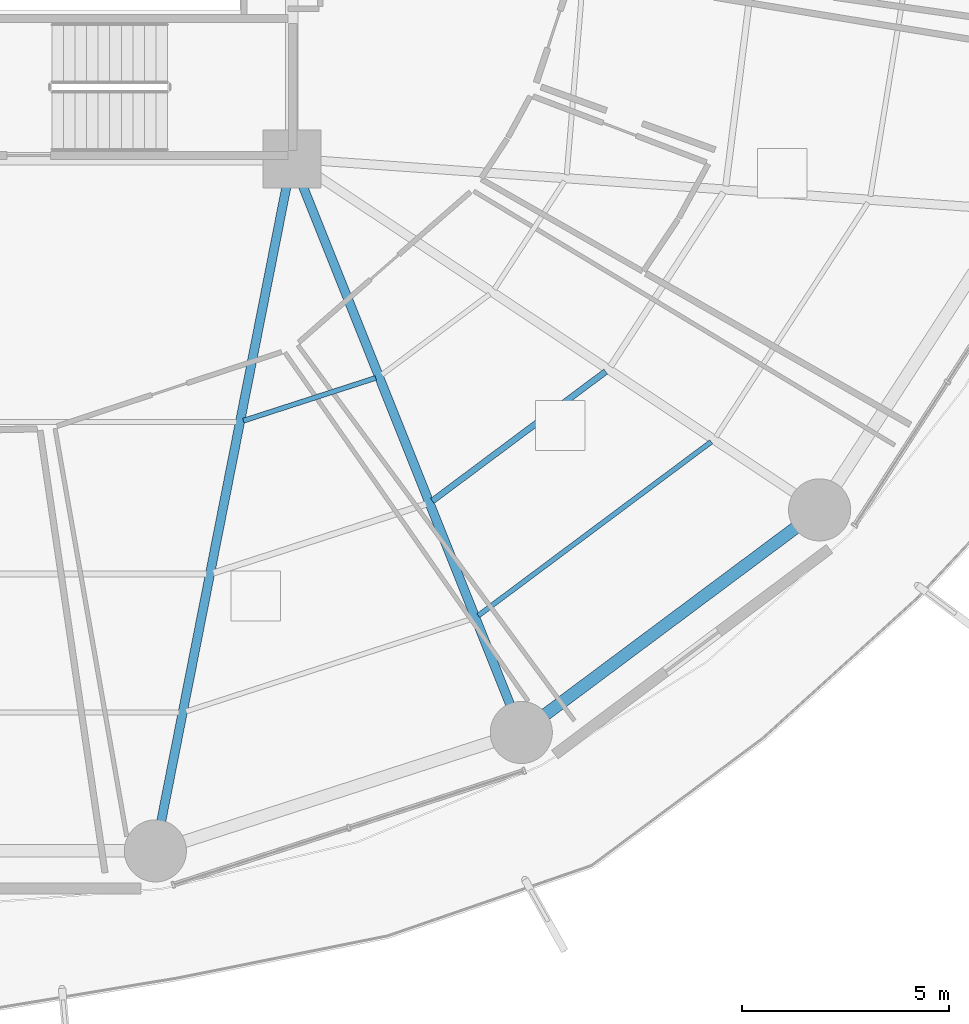
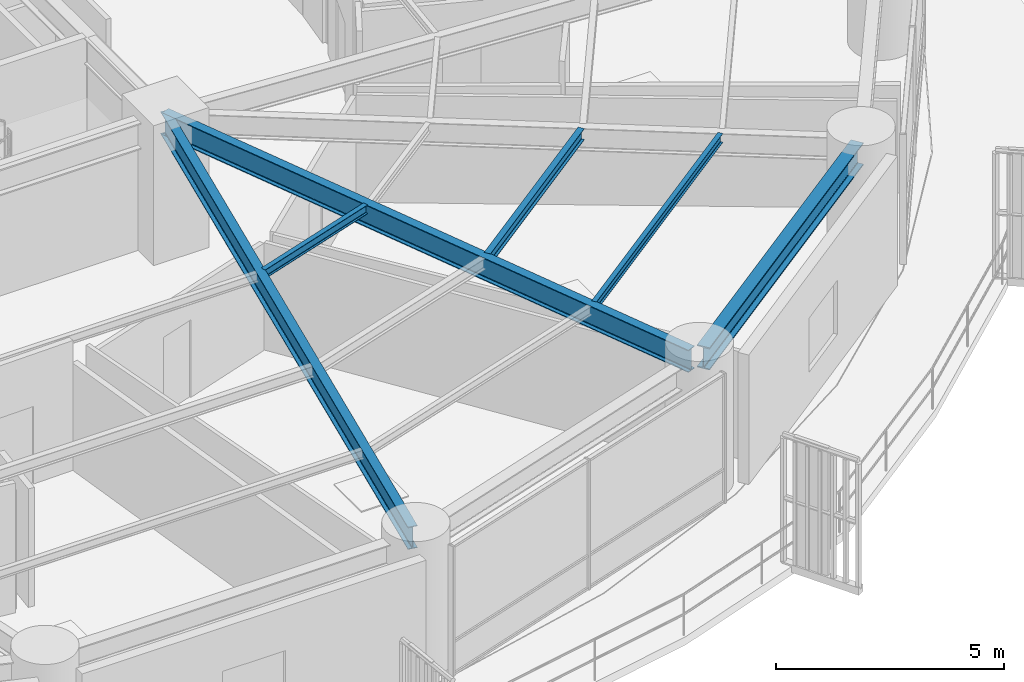
# One storey, part 9 of 34: 6 beams.
"""IFC4 building model written with IfcOpenShell, lengths in metres."""

from ifc_helpers import new_model, si_unit, direction, frame, origin, origin_2d, place, context, subcontext, project, spatial, i_section, extrude, material, material_profile, profile_set, type_object, element, save


model = new_model("IFC4")

# Units and contexts
model_context = context("Model", 3, precision=1e-05, world=origin(), true_north=direction((0.0, 1.0)))
body_context = subcontext(model_context, "Body", "Model", "MODEL_VIEW")
ifc_project = project(units=[si_unit("LENGTHUNIT", "METRE"), si_unit("AREAUNIT", "SQUARE_METRE"), si_unit("VOLUMEUNIT", "CUBIC_METRE"), si_unit("PLANEANGLEUNIT", "RADIAN"), si_unit("MASSUNIT", "GRAM", prefix="KILO")], contexts=[model_context])

# Site, building, storey
site_placement = place(None, origin())
site = spatial("IfcSite", under=ifc_project, at=site_placement, CompositionType="ELEMENT")
building_placement = place(site_placement, origin())
building = spatial("IfcBuilding", under=site, at=building_placement, Name="Kelanora Arch Commons", CompositionType="ELEMENT")
storey_placement = place(building_placement, frame((0.0, 0.0, 33.75)))
storey = spatial("IfcBuildingStorey", under=building, at=storey_placement, Name="L08", CompositionType="ELEMENT", Elevation=33.75)

# Beams
ifc_material = material(Name="Steel S355", Category="steel")
ifc_material_profile_1 = material_profile(ifc_material, i_section(OverallWidth=0.14990234375, OverallDepth=0.300048828125, WebThickness=0.007080078125, FlangeThickness=0.0107421875, FilletRadius=0.014892578125, at=origin_2d()), Name="IPE300")
ifc_profile_set_1 = profile_set([ifc_material_profile_1], Name="Steel S355")
beam_type_1 = type_object("IfcBeamType", Name="BM-JST-01", PredefinedType="JOIST", material=ifc_profile_set_1)
beam_1_placement = place(storey_placement, frame((85.39208984375, 42.738525390625, 3.340087890625), z_axis=(0.801478251559, 0.598023922831, 0.0), x_axis=(-0.598023922831, 0.801478251559, 0.0)))
element("IfcBeam", 1, at=beam_1_placement, inside=storey, type_object=beam_type_1, Name="Secondary Chord Joist BJB-30 L08", PredefinedType="JOIST", context=body_context, shape_type="SweptSolid", body=[
    extrude(i_section(OverallWidth=0.14990234375, OverallDepth=0.300048828125, WebThickness=0.007080078125, FlangeThickness=0.0107421875, FilletRadius=0.014892578125, at=origin_2d()), origin(), (0.0, 0.0, 1.0), 5.223388671875),
])
ifc_material_profile_2 = material_profile(ifc_material, i_section(OverallWidth=0.1201171875, OverallDepth=0.239990234375, WebThickness=0.006103515625, FlangeThickness=0.009765625, FilletRadius=0.014892578125, at=origin_2d()), Name="IPE240")
ifc_profile_set_2 = profile_set([ifc_material_profile_2], Name="Steel S355")
beam_type_2 = type_object("IfcBeamType", Name="BM-JST-02", PredefinedType="JOIST", material=ifc_profile_set_2)
beam_2_placement = place(storey_placement, frame((80.827880859375, 44.6748046875, 3.3701171875), z_axis=(0.951422608074, 0.30788800049, 0.0), x_axis=(-0.30788800049, 0.951422608074, 0.0)))
element("IfcBeam", 2, at=beam_2_placement, inside=storey, type_object=beam_type_2, Name="Secondary Chord Joist BJA-28 L08", PredefinedType="JOIST", context=body_context, shape_type="SweptSolid", body=[
    extrude(i_section(OverallWidth=0.1201171875, OverallDepth=0.239990234375, WebThickness=0.006103515625, FlangeThickness=0.009765625, FilletRadius=0.014892578125, at=origin_2d()), origin(), (0.0, 0.0, 1.0), 3.359619140625),
])
beam_3_placement = place(storey_placement, frame((86.5, 39.9677734375, 3.3701171875), z_axis=(0.80149131963, 0.598006408459, 0.0), x_axis=(-0.598006408459, 0.80149131963, 0.0)))
element("IfcBeam", 3, at=beam_3_placement, inside=storey, type_object=beam_type_2, Name="Secondary Chord Joist BJC-30 L08", PredefinedType="JOIST", context=body_context, shape_type="SweptSolid", body=[
    extrude(i_section(OverallWidth=0.1201171875, OverallDepth=0.239990234375, WebThickness=0.006103515625, FlangeThickness=0.009765625, FilletRadius=0.014892578125, at=origin_2d()), origin(), (0.0, 0.0, 1.0), 7.021240234375),
])
ifc_material_profile_3 = material_profile(ifc_material, i_section(OverallWidth=0.219970703125, OverallDepth=0.60009765625, WebThickness=0.011962890625, FlangeThickness=0.01904296875, FilletRadius=0.02392578125, at=origin_2d()), Name="IPE600")
ifc_profile_set_3 = profile_set([ifc_material_profile_3], Name="Steel S355")
beam_type_3 = type_object("IfcBeamType", Name="BM-RAD-Z1", PredefinedType="BEAM", material=ifc_profile_set_3)
beam_4_placement = place(storey_placement, frame((82.0, 51.0, 3.18994140625), z_axis=(-0.193555256292, -0.981089375522, 0.0), x_axis=(0.981089375522, -0.193555256292, 0.0)))
element("IfcBeam", 4, at=beam_4_placement, inside=storey, type_object=beam_type_3, Name="Radial Floor Girder BR-28 L08", PredefinedType="BEAM", context=body_context, shape_type="SweptSolid", body=[
    extrude(i_section(OverallWidth=0.219970703125, OverallDepth=0.60009765625, WebThickness=0.011962890625, FlangeThickness=0.01904296875, FilletRadius=0.02392578125, at=origin_2d()), origin(), (0.0, 0.0, 1.0), 16.81640625),
])
beam_5_placement = place(storey_placement, frame((82.0, 51.0, 3.18994140625), z_axis=(0.371296182896, -0.928514482691, 0.0), x_axis=(0.928514482691, 0.371296182896, 0.0)))
element("IfcBeam", 5, at=beam_5_placement, inside=storey, type_object=beam_type_3, Name="Radial Floor Girder BR-30 L08", PredefinedType="BEAM", context=body_context, shape_type="SweptSolid", body=[
    extrude(i_section(OverallWidth=0.219970703125, OverallDepth=0.60009765625, WebThickness=0.011962890625, FlangeThickness=0.01904296875, FilletRadius=0.02392578125, at=origin_2d()), origin(), (0.0, 0.0, 1.0), 14.700439453125),
])
ifc_material_profile_4 = material_profile(ifc_material, i_section(OverallWidth=0.300048828125, OverallDepth=0.60009765625, WebThickness=0.015380859375, FlangeThickness=0.030029296875, FilletRadius=0.027099609375, at=origin_2d()), Name="HEB600")
ifc_profile_set_4 = profile_set([ifc_material_profile_4], Name="Steel S355")
beam_type_4 = type_object("IfcBeamType", Name="BM-SPN-Z1", PredefinedType="SPANDREL", material=ifc_profile_set_4)
beam_6_placement = place(storey_placement, frame((87.71630859375, 37.277587890625, 3.18994140625), z_axis=(0.801474585329, 0.598028836322, 0.0), x_axis=(-0.598028836322, 0.801474585329, 0.0)))
element("IfcBeam", 6, at=beam_6_placement, inside=storey, type_object=beam_type_4, Name="Perimeter Spandrel Beam BS-30 L08", PredefinedType="SPANDREL", context=body_context, shape_type="SweptSolid", body=[
    extrude(i_section(OverallWidth=0.300048828125, OverallDepth=0.60009765625, WebThickness=0.015380859375, FlangeThickness=0.030029296875, FilletRadius=0.027099609375, at=origin_2d()), origin(), (0.0, 0.0, 1.0), 8.549072265625),
])

save(model, "model.ifc")
